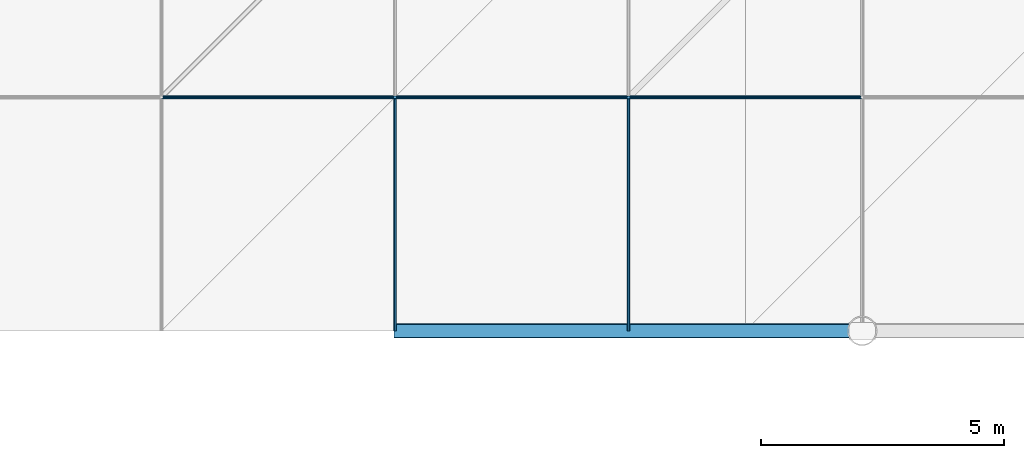
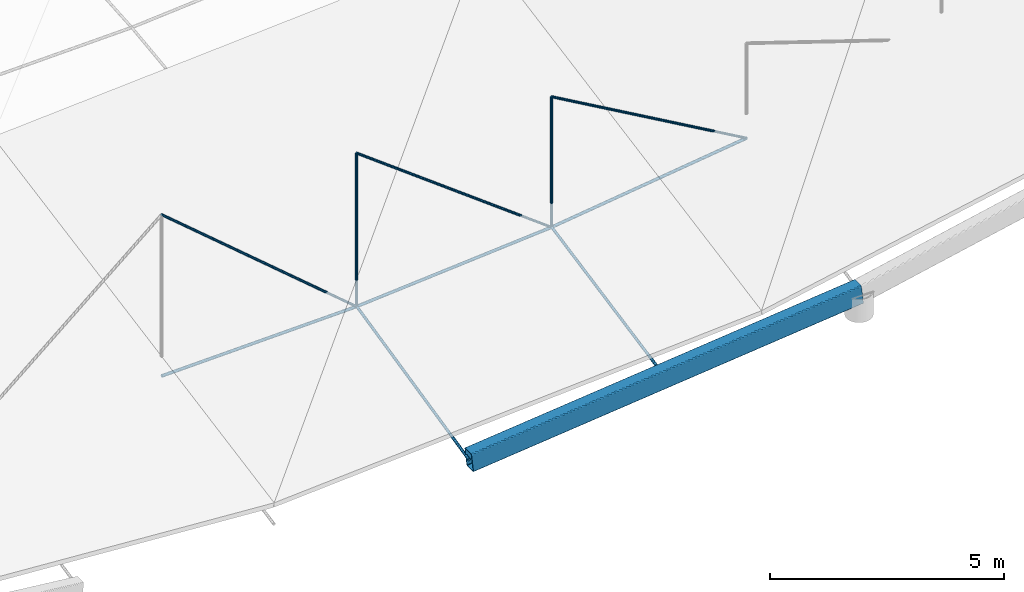
# One storey, part 16 of 40: 10 members, 1 beam.
"""IFC4 building model written with IfcOpenShell, lengths in metres."""

from ifc_helpers import new_model, si_unit, direction, frame, origin, origin_2d, place, context, subcontext, project, spatial, hollow_rectangle, circle, extrude, material, material_profile, profile_set, type_object, element, save


model = new_model("IFC4")

# Units and contexts
model_context = context("Model", 3, precision=1e-05, world=origin(), true_north=direction((0.0, 1.0)))
body_context = subcontext(model_context, "Body", "Model", "MODEL_VIEW")
ifc_project = project(units=[si_unit("LENGTHUNIT", "METRE"), si_unit("AREAUNIT", "SQUARE_METRE"), si_unit("VOLUMEUNIT", "CUBIC_METRE"), si_unit("PLANEANGLEUNIT", "RADIAN"), si_unit("MASSUNIT", "GRAM", prefix="KILO")], contexts=[model_context])

# Site, building, storey
site_placement = place(None, origin())
site = spatial("IfcSite", under=ifc_project, at=site_placement, CompositionType="ELEMENT")
building_placement = place(site_placement, origin())
building = spatial("IfcBuilding", under=site, at=building_placement, Name="Zevrakil Square Congress Hotel", CompositionType="ELEMENT")
storey_placement = place(building_placement, frame((0.0, 0.0, 18.10009765625)))
storey = spatial("IfcBuildingStorey", under=building, at=storey_placement, Name="L05", CompositionType="ELEMENT", Elevation=18.10009765625)

# Members
ifc_material_1 = material(Name="Steel S355", Category="steel")
ifc_material_profile_1 = material_profile(ifc_material_1, circle(Radius=0.030029296875, at=origin_2d()), Name="CABLE RD60")
ifc_profile_set_1 = profile_set([ifc_material_profile_1], Name="Steel S355")
member_type_1 = type_object("IfcMemberType", Name="MEM-CABLE-RD60", PredefinedType="USERDEFINED", material=ifc_profile_set_1)
member_1_placement = place(storey_placement, frame((146.39990234375, 69.60009765625, 0.657958984375), z_axis=(-0.762551461839, 0.0, 0.646927560123), x_axis=(0.0, -1.0, 0.0)))
element("IfcMember", 1, at=member_1_placement, inside=storey, type_object=member_type_1, Name="Congress cable-truss web diagonal CBD-01-6", ObjectType="ROOF CABLE", PredefinedType="USERDEFINED", context=body_context, shape_type="SweptSolid", body=[
    extrude(circle(Radius=0.030029296875, at=origin_2d()), origin(), (0.0, 0.0, 1.0), 6.29443359375),
])
member_2_placement = place(storey_placement, frame((146.39990234375, 69.60009765625, 0.657958984375), z_axis=(0.0, 0.0, 1.0), x_axis=(1.0, 0.0, 0.0)))
element("IfcMember", 2, at=member_2_placement, inside=storey, type_object=member_type_1, Name="Congress cable-truss vertical tie CBW-01-6", ObjectType="ROOF CABLE", PredefinedType="USERDEFINED", context=body_context, shape_type="SweptSolid", body=[
    extrude(circle(Radius=0.030029296875, at=origin_2d()), origin(), (0.0, 0.0, 1.0), 3.994384765625),
])
member_3_placement = place(storey_placement, frame((151.199951171875, 69.60009765625, 1.0419921875), z_axis=(-0.799174909116, 0.0, 0.601098548192), x_axis=(0.0, -1.0, 0.0)))
element("IfcMember", 3, at=member_3_placement, inside=storey, type_object=member_type_1, Name="Congress cable-truss web diagonal CBD-01-7", ObjectType="ROOF CABLE", PredefinedType="USERDEFINED", context=body_context, shape_type="SweptSolid", body=[
    extrude(circle(Radius=0.030029296875, at=origin_2d()), origin(), (0.0, 0.0, 1.0), 6.00634765625),
])
member_4_placement = place(storey_placement, frame((151.199951171875, 69.60009765625, 1.0419921875), z_axis=(0.0, 0.0, 1.0), x_axis=(1.0, 0.0, 0.0)))
element("IfcMember", 4, at=member_4_placement, inside=storey, type_object=member_type_1, Name="Congress cable-truss vertical tie CBW-01-7", ObjectType="ROOF CABLE", PredefinedType="USERDEFINED", context=body_context, shape_type="SweptSolid", body=[
    extrude(circle(Radius=0.030029296875, at=origin_2d()), origin(), (0.0, 0.0, 1.0), 3.397705078125),
])
member_5_placement = place(storey_placement, frame((156.0, 69.60009765625, 1.681884765625), z_axis=(-0.867079197454, 0.0, 0.498170317605), x_axis=(0.0, -1.0, 0.0)))
element("IfcMember", 5, at=member_5_placement, inside=storey, type_object=member_type_1, Name="Congress cable-truss web diagonal CBD-01-8", ObjectType="ROOF CABLE", PredefinedType="USERDEFINED", context=body_context, shape_type="SweptSolid", body=[
    extrude(circle(Radius=0.030029296875, at=origin_2d()), origin(), (0.0, 0.0, 1.0), 5.535888671875),
])
ifc_material_2 = material(Name="Steel S355", Category="steel")
ifc_material_profile_2 = material_profile(ifc_material_2, circle(Radius=0.033935546875, at=origin_2d()), Name="CABLE RD68")
ifc_profile_set_2 = profile_set([ifc_material_profile_2], Name="Steel S355")
member_type_2 = type_object("IfcMemberType", Name="MEM-CABLE-RD68", PredefinedType="USERDEFINED", material=ifc_profile_set_2)
member_6_placement = place(storey_placement, frame((146.39990234375, 64.800048828125, -0.422119140625), z_axis=(0.0, 0.975169384168, 0.221460317395), x_axis=(-1.0, 0.0, 0.0)))
element("IfcMember", 6, at=member_6_placement, inside=storey, type_object=member_type_2, Name="Congress saddle stabilizing cable CBH-06 seg 1", ObjectType="ROOF CABLE", PredefinedType="USERDEFINED", context=body_context, shape_type="SweptSolid", body=[
    extrude(circle(Radius=0.033935546875, at=origin_2d()), origin(), (0.0, 0.0, 1.0), 4.92236328125),
])
member_7_placement = place(storey_placement, frame((151.199951171875, 64.800048828125, 0.08984375), z_axis=(0.0, 0.980496189328, 0.196538094814), x_axis=(-1.0, 0.0, 0.0)))
element("IfcMember", 7, at=member_7_placement, inside=storey, type_object=member_type_2, Name="Congress saddle stabilizing cable CBH-07 seg 1", ObjectType="ROOF CABLE", PredefinedType="USERDEFINED", context=body_context, shape_type="SweptSolid", body=[
    extrude(circle(Radius=0.033935546875, at=origin_2d()), origin(), (0.0, 0.0, 1.0), 4.8955078125),
])
ifc_material_3 = material(Name="Steel S355", Category="steel")
ifc_material_profile_3 = material_profile(ifc_material_3, circle(Radius=0.0380859375, at=origin_2d()), Name="CABLE RD76")
ifc_profile_set_3 = profile_set([ifc_material_profile_3], Name="Steel S355")
member_type_3 = type_object("IfcMemberType", Name="MEM-CABLE-RD76", PredefinedType="USERDEFINED", material=ifc_profile_set_3)
member_8_placement = place(storey_placement, frame((141.60009765625, 69.60009765625, 0.52978515625), z_axis=(0.999643639641, 0.0, 0.026694451211), x_axis=(0.0, 1.0, 0.0)))
element("IfcMember", 8, at=member_8_placement, inside=storey, type_object=member_type_3, Name="Congress saddle carrying cable CBS-01 seg 6", ObjectType="ROOF CABLE", PredefinedType="USERDEFINED", context=body_context, shape_type="SweptSolid", body=[
    extrude(circle(Radius=0.0380859375, at=origin_2d()), origin(), (0.0, 0.0, 1.0), 4.801513671875),
])
member_9_placement = place(storey_placement, frame((146.39990234375, 69.60009765625, 0.657958984375), z_axis=(0.996814794892, 0.0, 0.079751267604), x_axis=(0.0, 1.0, 0.0)))
element("IfcMember", 9, at=member_9_placement, inside=storey, type_object=member_type_3, Name="Congress saddle carrying cable CBS-01 seg 7", ObjectType="ROOF CABLE", PredefinedType="USERDEFINED", context=body_context, shape_type="SweptSolid", body=[
    extrude(circle(Radius=0.0380859375, at=origin_2d()), origin(), (0.0, 0.0, 1.0), 4.8154296875),
])
member_10_placement = place(storey_placement, frame((151.199951171875, 69.60009765625, 1.0419921875), z_axis=(0.99123098262, 0.0, 0.132140603502), x_axis=(0.0, 1.0, 0.0)))
element("IfcMember", 10, at=member_10_placement, inside=storey, type_object=member_type_3, Name="Congress saddle carrying cable CBS-01 seg 8", ObjectType="ROOF CABLE", PredefinedType="USERDEFINED", context=body_context, shape_type="SweptSolid", body=[
    extrude(circle(Radius=0.0380859375, at=origin_2d()), origin(), (0.0, 0.0, 1.0), 4.842529296875),
])

# Beam
ifc_material_4 = material(Name="Steel S355", Category="steel")
ifc_material_profile_4 = material_profile(ifc_material_4, hollow_rectangle(XDim=0.300048828125, YDim=0.5, WallThickness=0.02001953125, InnerFilletRadius=0.02001953125, OuterFilletRadius=0.0400390625, at=origin_2d()), Name="RHS 500x300x20")
ifc_profile_set_4 = profile_set([ifc_material_profile_4], Name="Steel S355")
beam_type = type_object("IfcBeamType", Name="RNG-RHS500", PredefinedType="USERDEFINED", material=ifc_profile_set_4)
beam_placement = place(storey_placement, frame((146.39990234375, 64.800048828125, -0.422119140625), z_axis=(0.994360125075, 0.0, 0.10605631363), x_axis=(0.0, 1.0, 0.0)))
element("IfcBeam", 11, at=beam_placement, inside=storey, type_object=beam_type, Name="Congress Hall compression ring beam RB-04", ObjectType="RING BEAM", PredefinedType="USERDEFINED", context=body_context, shape_type="SweptSolid", body=[
    extrude(hollow_rectangle(XDim=0.300048828125, YDim=0.5, WallThickness=0.02001953125, InnerFilletRadius=0.02001953125, OuterFilletRadius=0.0400390625, at=origin_2d()), origin(), (0.0, 0.0, 1.0), 9.654541015625),
])

save(model, "model.ifc")
